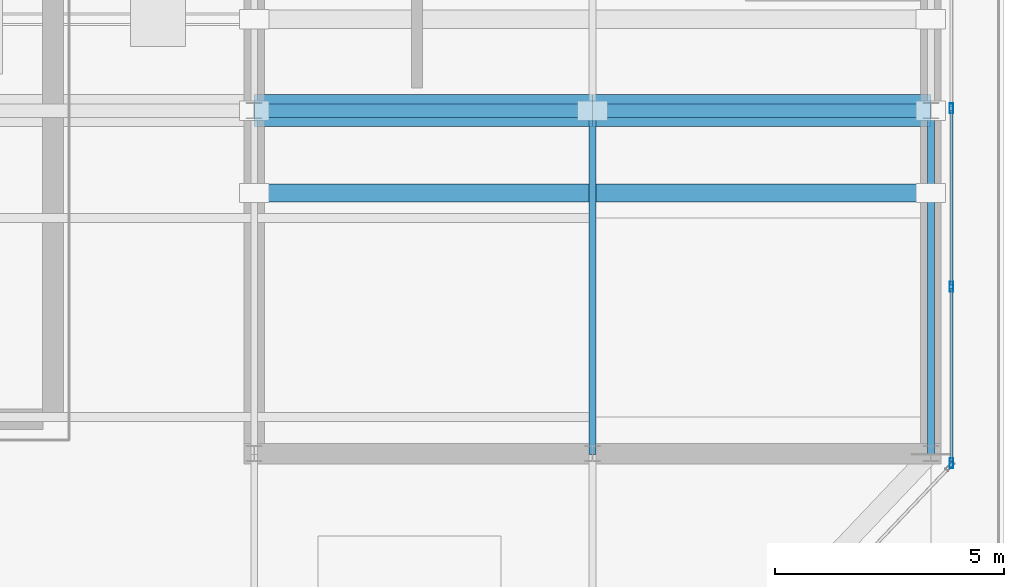
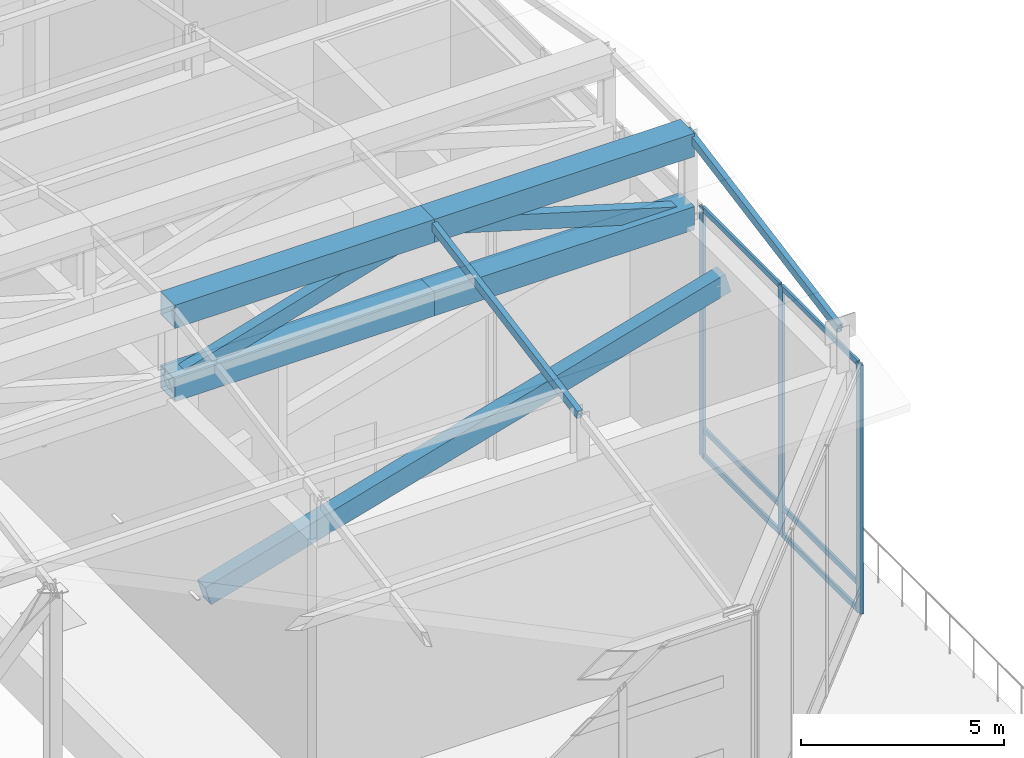
# One storey, part 13 of 25: 18 members, 1 element without a shape of its own.
"""IFC4 building model written with IfcOpenShell, lengths in metres."""

from ifc_helpers import new_model, si_unit, direction, frame, origin, origin_2d, place, context, subcontext, project, spatial, hollow_rectangle, extrude, source, transform, mapped, material, layer, layer_set, material_profile, profile_set, type_object, type_shapes, element, aggregate, save


model = new_model("IFC4")

# Units and contexts
model_context = context("Model", 3, precision=1e-05, world=origin(), true_north=direction((0.0, 1.0)))
body_context = subcontext(model_context, "Body", "Model", "MODEL_VIEW")
ifc_project = project(units=[si_unit("LENGTHUNIT", "METRE"), si_unit("AREAUNIT", "SQUARE_METRE"), si_unit("VOLUMEUNIT", "CUBIC_METRE"), si_unit("PLANEANGLEUNIT", "RADIAN"), si_unit("MASSUNIT", "GRAM", prefix="KILO")], contexts=[model_context])

# Site, building, storey
site_placement = place(None, origin())
site = spatial("IfcSite", under=ifc_project, at=site_placement, CompositionType="ELEMENT")
building_placement = place(site_placement, origin())
building = spatial("IfcBuilding", under=site, at=building_placement, Name="Haelvirn Gate Laboratories", CompositionType="ELEMENT")
storey_placement = place(building_placement, frame((0.0, 0.0, 337.800048828125)))
storey = spatial("IfcBuildingStorey", under=building, at=storey_placement, Name="RF", CompositionType="ELEMENT", Elevation=337.800048828125)

# Members
ifc_material_1 = material(Name="Steel SM420", Category="steel")
ifc_material_profile_1 = material_profile(ifc_material_1, hollow_rectangle(XDim=0.39990234375, YDim=0.60009765625, WallThickness=0.02490234375, at=origin_2d()), Name="BOX-600x400x25")
ifc_profile_set_1 = profile_set([ifc_material_profile_1], Name="Steel SM420")
member_type_1 = type_object("IfcMemberType", Name="MEM-CROWN-POST", PredefinedType="USERDEFINED", material=ifc_profile_set_1)
shared_shape_1 = source(origin(), body_context, "Body", "SweptSolid", [
    extrude(hollow_rectangle(XDim=0.39990234375, YDim=0.60009765625, WallThickness=0.02490234375, at=origin_2d()), origin(), (0.0, 0.0, 1.0), 15.39794921875),
])
type_shapes(member_type_1, [shared_shape_1])
member_1_placement = place(storey_placement, frame((52.60009765625, 20.5, 2.349853515625), z_axis=(0.961154519007, 0.0, 0.276010852308), x_axis=(0.0, 1.0, 0.0)))
element("IfcMember", 1, at=member_1_placement, inside=storey, type_object=member_type_1, Name="RF East Core Crown Bracing Strut 1", ObjectType="CROWN FRAME", PredefinedType="USERDEFINED", context=body_context, shape_type="MappedRepresentation", body=[
    mapped(shared_shape_1, transform((0.0, 0.0, 0.0), scale=1.0)),
])
ifc_material_profile_2 = material_profile(ifc_material_1, hollow_rectangle(XDim=0.699951171875, YDim=0.699951171875, WallThickness=0.031982421875, at=origin_2d()), Name="BOX-700x700x32")
ifc_profile_set_2 = profile_set([ifc_material_profile_2], Name="Steel SM420")
member_type_2 = type_object("IfcMemberType", Name="MEM-ARCH-RIB", PredefinedType="CHORD", material=ifc_profile_set_2)
shared_shape_2 = source(origin(), body_context, "Body", "SweptSolid", [
    extrude(hollow_rectangle(XDim=0.699951171875, YDim=0.699951171875, WallThickness=0.031982421875, at=origin_2d()), origin(), (0.0, 0.0, 1.0), 7.39990234375),
])
type_shapes(member_type_2, [shared_shape_2])
for number, where, z_axis, x_axis, name in (
    (2, (52.60009765625, 22.300048828125, 9.75537109375), (1.0, 0.0, 0.0), (0.0, 1.0, 0.0), "RF Vault Ridge Top Chord S-7"),
    (3, (52.60009765625, 22.300048828125, 7.550048828125), (1.0, 0.0, 0.0), (0.0, 1.0, 0.0), "RF Vault Ridge Bottom Chord S-7"),
    (4, (60.0, 22.300048828125, 9.75537109375), (1.0, 0.0, 0.0), (0.0, 1.0, 0.0), "RF Vault Ridge Top Chord S-8"),
    (5, (60.0, 22.300048828125, 7.550048828125), (1.0, 0.0, 0.0), (0.0, 1.0, 0.0), "RF Vault Ridge Bottom Chord S-8"),
):
    element("IfcMember", number, at=place(storey_placement, frame(where, z_axis=z_axis, x_axis=x_axis)), inside=storey, type_object=member_type_2, Name=name, PredefinedType="CHORD", context=body_context, shape_type="MappedRepresentation", body=[
        mapped(shared_shape_2, transform((0.0, 0.0, 0.0), scale=1.0)),
    ])
ifc_material_profile_3 = material_profile(ifc_material_1, hollow_rectangle(XDim=0.300048828125, YDim=0.449951171875, WallThickness=0.02001953125, at=origin_2d()), Name="BOX-450x300x20")
ifc_profile_set_3 = profile_set([ifc_material_profile_3], Name="Steel SM420")
member_type_3 = type_object("IfcMemberType", Name="MEM-CROWN-BR", PredefinedType="USERDEFINED", material=ifc_profile_set_3)
shared_shape_3 = source(origin(), body_context, "Body", "SweptSolid", [
    extrude(hollow_rectangle(XDim=0.300048828125, YDim=0.449951171875, WallThickness=0.02001953125, at=origin_2d()), origin(), (0.0, 0.0, 1.0), 7.721435546875),
])
type_shapes(member_type_3, [shared_shape_3])
for number, where, z_axis, x_axis, name in (
    (6, (52.60009765625, 22.300048828125, 7.550048828125), (0.958346838924, 0.0, 0.285606961267), (0.0, 1.0, 0.0), "RF Vault Ridge Truss Web S-7"),
    (7, (60.0, 22.300048828125, 9.75537109375), (0.958346838924, 0.0, -0.285606961267), (0.0, 1.0, 0.0), "RF Vault Ridge Truss Web S-8"),
):
    element("IfcMember", number, at=place(storey_placement, frame(where, z_axis=z_axis, x_axis=x_axis)), inside=storey, type_object=member_type_3, Name=name, ObjectType="CROWN FRAME", PredefinedType="USERDEFINED", context=body_context, shape_type="MappedRepresentation", body=[
        mapped(shared_shape_3, transform((0.0, 0.0, 0.0), scale=1.0)),
    ])
ifc_material_2 = material(Name="Steel SM355", Category="steel")
ifc_material_profile_4 = material_profile(ifc_material_2, hollow_rectangle(XDim=0.14990234375, YDim=0.25, WallThickness=0.010009765625, at=origin_2d()), Name="RHS-250x150x10")
ifc_profile_set_4 = profile_set([ifc_material_profile_4], Name="Steel SM355")
member_type_4 = type_object("IfcMemberType", Name="MEM-CROWN-RAF", PredefinedType="RAFTER", material=ifc_profile_set_4)
shared_shape_4 = source(origin(), body_context, "Body", "SweptSolid", [
    extrude(hollow_rectangle(XDim=0.14990234375, YDim=0.25, WallThickness=0.010009765625, at=origin_2d()), origin(), (0.0, 0.0, 1.0), 7.626708984375),
])
type_shapes(member_type_4, [shared_shape_4])
for number, where, z_axis, x_axis, name in (
    (8, (67.39990234375, 14.800048828125, 8.571044921875), (0.0, 0.983390092547, 0.181504616691), (-1.0, 0.0, 0.0), "RF Vault End Rafter X67.4-1"),
    (9, (60.0, 14.800048828125, 8.571044921875), (0.0, 0.983390092547, 0.181504616691), (-1.0, 0.0, 0.0), "RF Vault Rafter Chord X60.0-2"),
):
    element("IfcMember", number, at=place(storey_placement, frame(where, z_axis=z_axis, x_axis=x_axis)), inside=storey, type_object=member_type_4, Name=name, PredefinedType="RAFTER", context=body_context, shape_type="MappedRepresentation", body=[
        mapped(shared_shape_4, transform((0.0, 0.0, 0.0), scale=1.0)),
    ])

# Curtain wall, members
ifc_material_3 = material(Name="Anodised bronze unitised aluminium & triple low-E glass", Category="aluminium")
ifc_layer = layer(ifc_material_3, 0.19189453125, Name="CW-SYS-6")
ifc_layer_set = layer_set([ifc_layer], Name="Anodised bronze unitised aluminium & triple low-E glass")
curtain_wall_type = type_object("IfcCurtainWallType", Name="CW-SYS-6", PredefinedType="NOTDEFINED", material=ifc_layer_set)
curtain_wall_placement = place(storey_placement, origin())
curtain_wall = element("IfcCurtainWall", 10, at=curtain_wall_placement, inside=storey, type_object=curtain_wall_type, Name="RF Unitised Curtain Wall CW-RF-RING-02", PredefinedType="NOTDEFINED")
ifc_material_4 = material(Name="Extruded aluminium 6063-T6 (anodised bronze)", Category="aluminium")
ifc_material_profile_5 = material_profile(ifc_material_4, hollow_rectangle(XDim=0.080078125, YDim=0.219970703125, WallThickness=0.006103515625, at=origin_2d()), Name="CWM-220x80x6")
ifc_profile_set_5 = profile_set([ifc_material_profile_5], Name="Extruded aluminium 6063-T6 (anodised bronze)")
member_type_5 = type_object("IfcMemberType", Name="CWM-T220", PredefinedType="MULLION", material=ifc_profile_set_5)
shared_shape_5 = source(origin(), body_context, "Body", "SweptSolid", [
    extrude(hollow_rectangle(XDim=0.080078125, YDim=0.219970703125, WallThickness=0.006103515625, at=origin_2d()), origin(), (0.0, 0.0, 1.0), 7.5),
])
type_shapes(member_type_5, [shared_shape_5])
member_2_placement = place(storey_placement, frame((67.85009765625, 14.590087890625, 0.0), z_axis=(0.0, 0.0, 1.0), x_axis=(-1.0, 0.0, 0.0)))
member_2 = element("IfcMember", 11, at=member_2_placement, type_object=member_type_5, Name="CW6 mullion 1", PredefinedType="MULLION", context=body_context, shape_type="MappedRepresentation", body=[
    mapped(shared_shape_5, transform((0.0, 0.0, 0.0), scale=1.0)),
])
member_3_placement = place(storey_placement, frame((67.85009765625, 18.449951171875, 0.0), z_axis=(0.0, 0.0, 1.0), x_axis=(-1.0, 0.0, 0.0)))
member_3 = element("IfcMember", 12, at=member_3_placement, type_object=member_type_5, Name="CW6 mullion 2", PredefinedType="MULLION", context=body_context, shape_type="MappedRepresentation", body=[
    mapped(shared_shape_5, transform((0.0, 0.0, 0.0), scale=1.0)),
])
member_4_placement = place(storey_placement, frame((67.85009765625, 22.35009765625, 0.0), z_axis=(0.0, 0.0, 1.0), x_axis=(-1.0, 0.0, 0.0)))
member_4 = element("IfcMember", 13, at=member_4_placement, type_object=member_type_5, Name="CW6 mullion 3", PredefinedType="MULLION", context=body_context, shape_type="MappedRepresentation", body=[
    mapped(shared_shape_5, transform((0.0, 0.0, 0.0), scale=1.0)),
])
ifc_material_profile_6 = material_profile(ifc_material_4, hollow_rectangle(XDim=0.070068359375, YDim=0.159912109375, WallThickness=0.0048828125, at=origin_2d()), Name="CWT-160x70x5")
ifc_profile_set_6 = profile_set([ifc_material_profile_6], Name="Extruded aluminium 6063-T6 (anodised bronze)")
member_type_6 = type_object("IfcMemberType", Name="CWT-T160", PredefinedType="USERDEFINED", material=ifc_profile_set_6)
shared_shape_6 = source(origin(), body_context, "Body", "SweptSolid", [
    extrude(hollow_rectangle(XDim=0.070068359375, YDim=0.159912109375, WallThickness=0.0048828125, at=origin_2d()), origin(), (0.0, 0.0, 1.0), 3.780029296875),
])
member_5_placement = place(storey_placement, frame((67.85009765625, 14.6298828125, 0.034912109375), z_axis=(0.0, 1.0, 0.0), x_axis=(-1.0, 0.0, 0.0)))
member_5 = element("IfcMember", 14, at=member_5_placement, type_object=member_type_6, Name="CW6 transom 1.1", ObjectType="TRANSOM", PredefinedType="USERDEFINED", context=body_context, shape_type="MappedRepresentation", body=[
    mapped(shared_shape_6, transform((0.0, 0.0, 0.0), scale=1.0)),
])
member_6_placement = place(storey_placement, frame((67.85009765625, 14.6298828125, 0.849853515625), z_axis=(0.0, 1.0, 0.0), x_axis=(-1.0, 0.0, 0.0)))
member_6 = element("IfcMember", 15, at=member_6_placement, type_object=member_type_6, Name="CW6 transom 1.2", ObjectType="TRANSOM", PredefinedType="USERDEFINED", context=body_context, shape_type="MappedRepresentation", body=[
    mapped(shared_shape_6, transform((0.0, 0.0, 0.0), scale=1.0)),
])
member_7_placement = place(storey_placement, frame((67.85009765625, 14.6298828125, 7.46484375), z_axis=(0.0, 1.0, 0.0), x_axis=(-1.0, 0.0, 0.0)))
member_7 = element("IfcMember", 16, at=member_7_placement, type_object=member_type_6, Name="CW6 transom 1.3", ObjectType="TRANSOM", PredefinedType="USERDEFINED", context=body_context, shape_type="MappedRepresentation", body=[
    mapped(shared_shape_6, transform((0.0, 0.0, 0.0), scale=1.0)),
])
shared_shape_7 = source(origin(), body_context, "Body", "SweptSolid", [
    extrude(hollow_rectangle(XDim=0.070068359375, YDim=0.159912109375, WallThickness=0.0048828125, at=origin_2d()), origin(), (0.0, 0.0, 1.0), 3.820068359375),
])
type_shapes(member_type_6, [shared_shape_6, shared_shape_7])
member_8_placement = place(storey_placement, frame((67.85009765625, 18.489990234375, 0.034912109375), z_axis=(0.0, 1.0, 0.0), x_axis=(-1.0, 0.0, 0.0)))
member_8 = element("IfcMember", 17, at=member_8_placement, type_object=member_type_6, Name="CW6 transom 2.1", ObjectType="TRANSOM", PredefinedType="USERDEFINED", context=body_context, shape_type="MappedRepresentation", body=[
    mapped(shared_shape_7, transform((0.0, 0.0, 0.0), scale=1.0)),
])
member_9_placement = place(storey_placement, frame((67.85009765625, 18.489990234375, 0.849853515625), z_axis=(0.0, 1.0, 0.0), x_axis=(-1.0, 0.0, 0.0)))
member_9 = element("IfcMember", 18, at=member_9_placement, type_object=member_type_6, Name="CW6 transom 2.2", ObjectType="TRANSOM", PredefinedType="USERDEFINED", context=body_context, shape_type="MappedRepresentation", body=[
    mapped(shared_shape_7, transform((0.0, 0.0, 0.0), scale=1.0)),
])
member_10_placement = place(storey_placement, frame((67.85009765625, 18.489990234375, 7.46484375), z_axis=(0.0, 1.0, 0.0), x_axis=(-1.0, 0.0, 0.0)))
member_10 = element("IfcMember", 19, at=member_10_placement, type_object=member_type_6, Name="CW6 transom 2.3", ObjectType="TRANSOM", PredefinedType="USERDEFINED", context=body_context, shape_type="MappedRepresentation", body=[
    mapped(shared_shape_7, transform((0.0, 0.0, 0.0), scale=1.0)),
])
aggregate(curtain_wall, [member_2, member_3, member_4, member_5, member_6, member_7, member_8, member_9, member_10])

save(model, "model.ifc")
